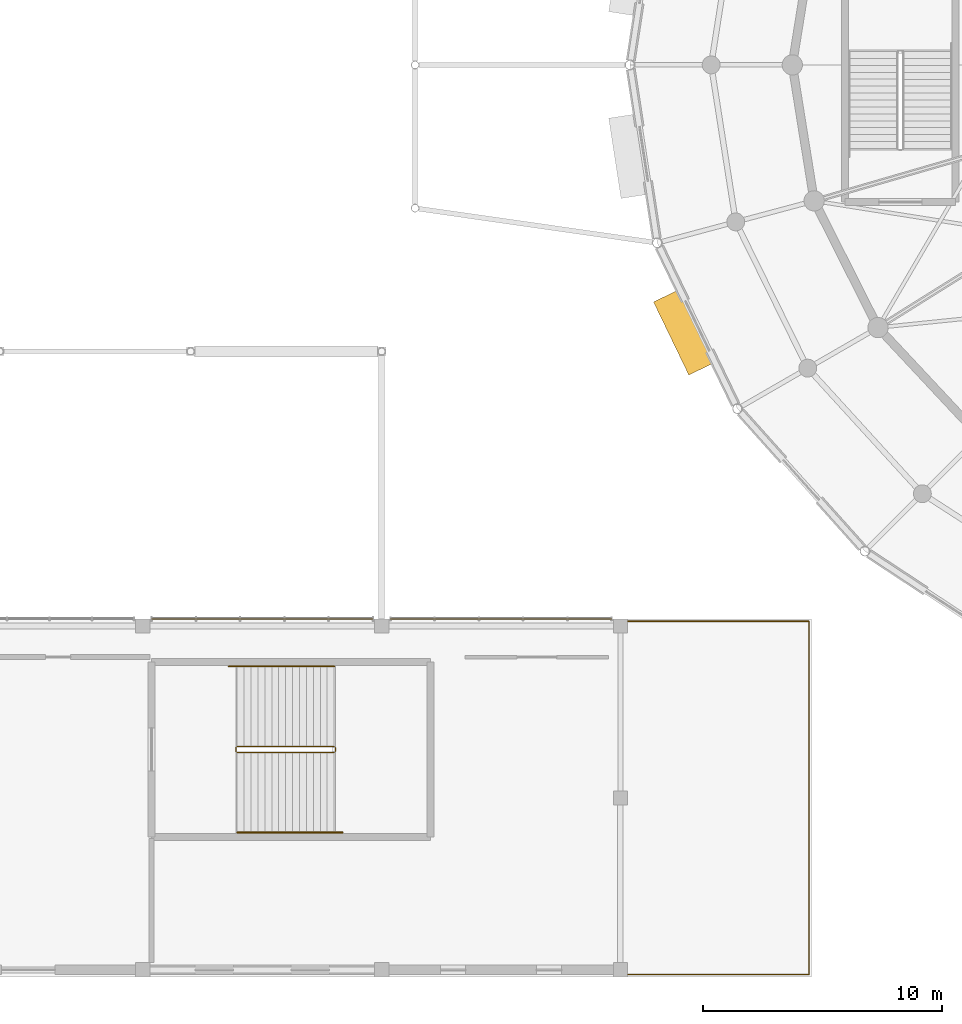
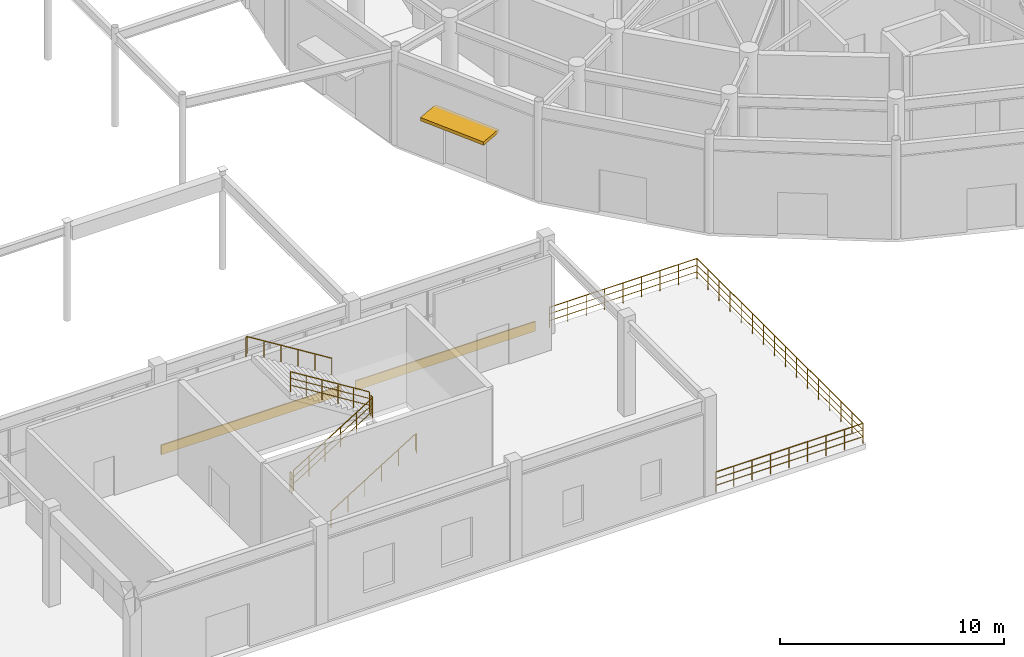
# One storey, part 85 of 93: 9 railings, 2 coverings, 1 shading device.
"""IFC4 building model written with IfcOpenShell, lengths in metres."""

from ifc_helpers import new_model, si_unit, direction, frame, origin, origin_2d, place, context, subcontext, project, spatial, rectangle, circle, extrude, material, layer, layer_set, type_object, element, save


model = new_model("IFC4")

# Units and contexts
model_context = context("Model", 3, precision=1e-05, world=origin(), true_north=direction((0.0, 1.0)))
body_context = subcontext(model_context, "Body", "Model", "MODEL_VIEW")
ifc_project = project(units=[si_unit("LENGTHUNIT", "METRE"), si_unit("AREAUNIT", "SQUARE_METRE"), si_unit("VOLUMEUNIT", "CUBIC_METRE"), si_unit("PLANEANGLEUNIT", "RADIAN"), si_unit("MASSUNIT", "GRAM", prefix="KILO")], contexts=[model_context])

# Site, building, storey
site_placement = place(None, origin())
site = spatial("IfcSite", under=ifc_project, at=site_placement, CompositionType="ELEMENT")
building_placement = place(site_placement, origin())
building = spatial("IfcBuilding", under=site, at=building_placement, Name="Cinderbank Siding Concert Hall", CompositionType="ELEMENT")
storey_placement = place(building_placement, origin())
storey = spatial("IfcBuildingStorey", under=building, at=storey_placement, Name="L01", CompositionType="ELEMENT", Elevation=0.0)

# Shading device
ifc_material_1 = material(Name="Anodised aluminium alloy 6063-T6", Category="aluminium")
shading_device_type = type_object("IfcShadingDeviceType", Name="AW-01 Forecourt Entry Sunshade Awning", PredefinedType="AWNING", material=ifc_material_1)
shading_device_placement = place(storey_placement, frame((90.6650390625, 32.80322265625, 2.76025390625), z_axis=(0.0, 0.0, 1.0), x_axis=(0.435102109714, -0.900381116041, 0.0)))
element("IfcShadingDevice", 1, at=shading_device_placement, inside=storey, type_object=shading_device_type, Name="Arrival Awning 14", PredefinedType="AWNING", context=body_context, shape_type="SweptSolid", body=[
    extrude(rectangle(XDim=3.39990234375, YDim=1.199951171875, at=origin_2d()), origin(), (0.0, 0.0, 1.0), 0.179931640625),
])

# Coverings
ifc_material_2 = material(Name="Spotted gum glulam timber GL18 (42 MPa)", Category="wood")
ifc_layer = layer(ifc_material_2, 0.06494140625)
ifc_layer_set = layer_set([ifc_layer], Name="Spotted gum glulam timber GL18 (42 MPa)")
covering_type = type_object("IfcCoveringType", Name="CL-01 Spotted Gum Spandrel Band 520mm", PredefinedType="CLADDING", material=ifc_layer_set)
for number, where, z_axis, x_axis, name in (
    (2, (73.0, 20.800048828125, 0.0), (0.0, 0.0, 1.0), (1.0, 0.0, 0.0), "CW-L01-139 Spotted Gum Spandrel Band"),
    (3, (83.0, 20.800048828125, 0.0), (0.0, 0.0, 1.0), (1.0, 0.0, 0.0), "CW-L01-140 Spotted Gum Spandrel Band"),
):
    element("IfcCovering", number, at=place(storey_placement, frame(where, z_axis=z_axis, x_axis=x_axis)), inside=storey, type_object=covering_type, Name=name, PredefinedType="CLADDING", context=body_context, shape_type="SweptSolid", body=[
        extrude(rectangle(XDim=9.27001953125, YDim=0.06494140625, at=origin_2d()), origin(), (0.0, 0.0, 1.0), 0.52001953125),
    ])

# Railings
ifc_material_3 = material(Name="Structural steel AS/NZS 3679.1 Grade 350 (340 MPa)", Category="steel")
railing_type_1 = type_object("IfcRailingType", Name="GD-01 Terrace & Perimeter Guardrail 1120mm", PredefinedType="GUARDRAIL", material=ifc_material_3)
railing_1_placement = place(storey_placement, frame((88.29931640625, 20.699951171875, 0.0)))
element("IfcRailing", 4, at=railing_1_placement, inside=storey, type_object=railing_type_1, Name="L01 Perimeter Guardrail #27", PredefinedType="GUARDRAIL", context=body_context, shape_type="SweptSolid", body=[
    extrude(circle(Radius=0.02392578125, at=origin_2d()), frame((0.0, 0.0, 1.09619140625), z_axis=(1.0, 0.0, 0.0), x_axis=(0.0, 1.0, 0.0)), (0.0, 0.0, 1.0), 7.6005859375),
    extrude(circle(Radius=0.01611328125, at=origin_2d()), frame((0.0, 0.0, 0.36962890625), z_axis=(1.0, 0.0, 0.0), x_axis=(0.0, 1.0, 0.0)), (0.0, 0.0, 1.0), 7.6005859375),
    extrude(circle(Radius=0.01611328125, at=origin_2d()), frame((0.0, 0.0, 0.7392578125), z_axis=(1.0, 0.0, 0.0), x_axis=(0.0, 1.0, 0.0)), (0.0, 0.0, 1.0), 7.6005859375),
    extrude(circle(Radius=0.02099609375, at=origin_2d()), origin(), (0.0, 0.0, 1.0), 1.072021484375),
    extrude(circle(Radius=0.02099609375, at=origin_2d()), frame((0.9501953125, 0.0, 0.0)), (0.0, 0.0, 1.0), 1.072021484375),
    extrude(circle(Radius=0.02099609375, at=origin_2d()), frame((1.900146484375, 0.0, 0.0)), (0.0, 0.0, 1.0), 1.072021484375),
    extrude(circle(Radius=0.02099609375, at=origin_2d()), frame((2.85009765625, 0.0, 0.0)), (0.0, 0.0, 1.0), 1.072021484375),
    extrude(circle(Radius=0.02099609375, at=origin_2d()), frame((3.80029296875, 0.0, 0.0)), (0.0, 0.0, 1.0), 1.072021484375),
    extrude(circle(Radius=0.02099609375, at=origin_2d()), frame((4.75048828125, 0.0, 0.0)), (0.0, 0.0, 1.0), 1.072021484375),
    extrude(circle(Radius=0.02099609375, at=origin_2d()), frame((5.700439453125, 0.0, 0.0)), (0.0, 0.0, 1.0), 1.072021484375),
    extrude(circle(Radius=0.02099609375, at=origin_2d()), frame((6.650390625, 0.0, 0.0)), (0.0, 0.0, 1.0), 1.072021484375),
    extrude(circle(Radius=0.02099609375, at=origin_2d()), frame((7.6005859375, 0.0, 0.0)), (0.0, 0.0, 1.0), 1.072021484375),
])
railing_2_placement = place(storey_placement, frame((95.89990234375, 20.699951171875, 0.0)))
element("IfcRailing", 5, at=railing_2_placement, inside=storey, type_object=railing_type_1, Name="L01 Perimeter Guardrail #28", PredefinedType="GUARDRAIL", context=body_context, shape_type="SweptSolid", body=[
    extrude(circle(Radius=0.02392578125, at=origin_2d()), frame((0.0, 0.0, 1.09619140625), z_axis=(0.0, -1.0, 0.0), x_axis=(1.0, 0.0, 0.0)), (0.0, 0.0, 1.0), 14.800048828125),
    extrude(circle(Radius=0.01611328125, at=origin_2d()), frame((0.0, 0.0, 0.36962890625), z_axis=(0.0, -1.0, 0.0), x_axis=(1.0, 0.0, 0.0)), (0.0, 0.0, 1.0), 14.800048828125),
    extrude(circle(Radius=0.01611328125, at=origin_2d()), frame((0.0, 0.0, 0.7392578125), z_axis=(0.0, -1.0, 0.0), x_axis=(1.0, 0.0, 0.0)), (0.0, 0.0, 1.0), 14.800048828125),
    extrude(circle(Radius=0.02099609375, at=origin_2d()), origin(), (0.0, 0.0, 1.0), 1.072021484375),
    extrude(circle(Radius=0.02099609375, at=origin_2d()), frame((0.0, -0.986572265625, 0.0)), (0.0, 0.0, 1.0), 1.072021484375),
    extrude(circle(Radius=0.02099609375, at=origin_2d()), frame((0.0, -1.973388671875, 0.0)), (0.0, 0.0, 1.0), 1.072021484375),
    extrude(circle(Radius=0.02099609375, at=origin_2d()), frame((0.0, -2.9599609375, 0.0)), (0.0, 0.0, 1.0), 1.072021484375),
    extrude(circle(Radius=0.02099609375, at=origin_2d()), frame((0.0, -3.94677734375, 0.0)), (0.0, 0.0, 1.0), 1.072021484375),
    extrude(circle(Radius=0.02099609375, at=origin_2d()), frame((0.0, -4.933349609375, 0.0)), (0.0, 0.0, 1.0), 1.072021484375),
    extrude(circle(Radius=0.02099609375, at=origin_2d()), frame((0.0, -5.919921875, 0.0)), (0.0, 0.0, 1.0), 1.072021484375),
    extrude(circle(Radius=0.02099609375, at=origin_2d()), frame((0.0, -6.90673828125, 0.0)), (0.0, 0.0, 1.0), 1.072021484375),
    extrude(circle(Radius=0.02099609375, at=origin_2d()), frame((0.0, -7.893310546875, 0.0)), (0.0, 0.0, 1.0), 1.072021484375),
    extrude(circle(Radius=0.02099609375, at=origin_2d()), frame((0.0, -8.880126953125, 0.0)), (0.0, 0.0, 1.0), 1.072021484375),
    extrude(circle(Radius=0.02099609375, at=origin_2d()), frame((0.0, -9.86669921875, 0.0)), (0.0, 0.0, 1.0), 1.072021484375),
    extrude(circle(Radius=0.02099609375, at=origin_2d()), frame((0.0, -10.853271484375, 0.0)), (0.0, 0.0, 1.0), 1.072021484375),
    extrude(circle(Radius=0.02099609375, at=origin_2d()), frame((0.0, -11.840087890625, 0.0)), (0.0, 0.0, 1.0), 1.072021484375),
    extrude(circle(Radius=0.02099609375, at=origin_2d()), frame((0.0, -12.82666015625, 0.0)), (0.0, 0.0, 1.0), 1.072021484375),
    extrude(circle(Radius=0.02099609375, at=origin_2d()), frame((0.0, -13.8134765625, 0.0)), (0.0, 0.0, 1.0), 1.072021484375),
    extrude(circle(Radius=0.02099609375, at=origin_2d()), frame((0.0, -14.800048828125, 0.0)), (0.0, 0.0, 1.0), 1.072021484375),
])
railing_3_placement = place(storey_placement, frame((95.89990234375, 5.89990234375, 0.0)))
element("IfcRailing", 6, at=railing_3_placement, inside=storey, type_object=railing_type_1, Name="L01 Perimeter Guardrail #29", PredefinedType="GUARDRAIL", context=body_context, shape_type="SweptSolid", body=[
    extrude(circle(Radius=0.02392578125, at=origin_2d()), frame((0.0, 0.0, 1.09619140625), z_axis=(-1.0, 0.0, 0.0), x_axis=(0.0, -1.0, 0.0)), (0.0, 0.0, 1.0), 7.6005859375),
    extrude(circle(Radius=0.01611328125, at=origin_2d()), frame((0.0, 0.0, 0.36962890625), z_axis=(-1.0, 0.0, 0.0), x_axis=(0.0, -1.0, 0.0)), (0.0, 0.0, 1.0), 7.6005859375),
    extrude(circle(Radius=0.01611328125, at=origin_2d()), frame((0.0, 0.0, 0.7392578125), z_axis=(-1.0, 0.0, 0.0), x_axis=(0.0, -1.0, 0.0)), (0.0, 0.0, 1.0), 7.6005859375),
    extrude(circle(Radius=0.02099609375, at=origin_2d()), origin(), (0.0, 0.0, 1.0), 1.072021484375),
    extrude(circle(Radius=0.02099609375, at=origin_2d()), frame((-0.9501953125, 0.0, 0.0)), (0.0, 0.0, 1.0), 1.072021484375),
    extrude(circle(Radius=0.02099609375, at=origin_2d()), frame((-1.900146484375, 0.0, 0.0)), (0.0, 0.0, 1.0), 1.072021484375),
    extrude(circle(Radius=0.02099609375, at=origin_2d()), frame((-2.85009765625, 0.0, 0.0)), (0.0, 0.0, 1.0), 1.072021484375),
    extrude(circle(Radius=0.02099609375, at=origin_2d()), frame((-3.80029296875, 0.0, 0.0)), (0.0, 0.0, 1.0), 1.072021484375),
    extrude(circle(Radius=0.02099609375, at=origin_2d()), frame((-4.75048828125, 0.0, 0.0)), (0.0, 0.0, 1.0), 1.072021484375),
    extrude(circle(Radius=0.02099609375, at=origin_2d()), frame((-5.700439453125, 0.0, 0.0)), (0.0, 0.0, 1.0), 1.072021484375),
    extrude(circle(Radius=0.02099609375, at=origin_2d()), frame((-6.650390625, 0.0, 0.0)), (0.0, 0.0, 1.0), 1.072021484375),
    extrude(circle(Radius=0.02099609375, at=origin_2d()), frame((-7.6005859375, 0.0, 0.0)), (0.0, 0.0, 1.0), 1.072021484375),
])
railing_type_2 = type_object("IfcRailingType", Name="STG-01 Stair Well Guardrail 1120mm", PredefinedType="GUARDRAIL", material=ifc_material_3)
railing_4_placement = place(storey_placement, frame((71.949951171875, 15.199951171875, 0.179931640625)))
element("IfcRailing", 7, at=railing_4_placement, inside=storey, type_object=railing_type_2, Name="L01 ST-08 stair guard 1", PredefinedType="GUARDRAIL", context=body_context, shape_type="SweptSolid", body=[
    extrude(circle(Radius=0.02392578125, at=origin_2d()), frame((0.0, 0.0, 1.09619140625), z_axis=(0.849641744969, 0.0, 0.527360318194), x_axis=(0.0, 1.0, 0.0)), (0.0, 0.0, 1.0), 4.778564453125),
    extrude(circle(Radius=0.01611328125, at=origin_2d()), frame((0.0, 0.0, 0.36962890625), z_axis=(0.849641744969, 0.0, 0.527360318194), x_axis=(0.0, 1.0, 0.0)), (0.0, 0.0, 1.0), 4.778564453125),
    extrude(circle(Radius=0.01611328125, at=origin_2d()), frame((0.0, 0.0, 0.7392578125), z_axis=(0.849641744969, 0.0, 0.527360318194), x_axis=(0.0, 1.0, 0.0)), (0.0, 0.0, 1.0), 4.778564453125),
    extrude(circle(Radius=0.02099609375, at=origin_2d()), origin(), (0.0, 0.0, 1.0), 1.072021484375),
    extrude(circle(Radius=0.02099609375, at=origin_2d()), frame((0.81201171875, 0.0, 0.50390625)), (0.0, 0.0, 1.0), 1.072021484375),
    extrude(circle(Radius=0.02099609375, at=origin_2d()), frame((1.6240234375, 0.0, 1.008056640625)), (0.0, 0.0, 1.0), 1.072021484375),
    extrude(circle(Radius=0.02099609375, at=origin_2d()), frame((2.43603515625, 0.0, 1.511962890625)), (0.0, 0.0, 1.0), 1.072021484375),
    extrude(circle(Radius=0.02099609375, at=origin_2d()), frame((3.248046875, 0.0, 2.01611328125)), (0.0, 0.0, 1.0), 1.072021484375),
    extrude(circle(Radius=0.02099609375, at=origin_2d()), frame((4.06005859375, 0.0, 2.52001953125)), (0.0, 0.0, 1.0), 1.072021484375),
])
railing_5_placement = place(storey_placement, frame((76.06005859375, 15.25, 2.699951171875)))
element("IfcRailing", 8, at=railing_5_placement, inside=storey, type_object=railing_type_2, Name="L01 ST-08 stair guard 2", PredefinedType="GUARDRAIL", context=body_context, shape_type="SweptSolid", body=[
    extrude(circle(Radius=0.02392578125, at=origin_2d()), frame((0.0, 0.0, 1.09619140625), z_axis=(0.0, 1.0, 0.0), x_axis=(-1.0, 0.0, 0.0)), (0.0, 0.0, 1.0), 0.159912109375),
    extrude(circle(Radius=0.01611328125, at=origin_2d()), frame((0.0, 0.0, 0.36962890625), z_axis=(0.0, 1.0, 0.0), x_axis=(-1.0, 0.0, 0.0)), (0.0, 0.0, 1.0), 0.159912109375),
    extrude(circle(Radius=0.01611328125, at=origin_2d()), frame((0.0, 0.0, 0.7392578125), z_axis=(0.0, 1.0, 0.0), x_axis=(-1.0, 0.0, 0.0)), (0.0, 0.0, 1.0), 0.159912109375),
    extrude(circle(Radius=0.02099609375, at=origin_2d()), origin(), (0.0, 0.0, 1.0), 1.072021484375),
    extrude(circle(Radius=0.02099609375, at=origin_2d()), frame((0.0, 0.159912109375, 0.0)), (0.0, 0.0, 1.0), 1.072021484375),
])
railing_6_placement = place(storey_placement, frame((76.010009765625, 15.4599609375, 2.8798828125)))
element("IfcRailing", 9, at=railing_6_placement, inside=storey, type_object=railing_type_2, Name="L01 ST-08 stair guard 3", PredefinedType="GUARDRAIL", context=body_context, shape_type="SweptSolid", body=[
    extrude(circle(Radius=0.02392578125, at=origin_2d()), frame((0.0, 0.0, 1.09619140625), z_axis=(-0.849641744969, 0.0, 0.527360318194), x_axis=(0.0, -1.0, 0.0)), (0.0, 0.0, 1.0), 4.778564453125),
    extrude(circle(Radius=0.01611328125, at=origin_2d()), frame((0.0, 0.0, 0.36962890625), z_axis=(-0.849641744969, 0.0, 0.527360318194), x_axis=(0.0, -1.0, 0.0)), (0.0, 0.0, 1.0), 4.778564453125),
    extrude(circle(Radius=0.01611328125, at=origin_2d()), frame((0.0, 0.0, 0.7392578125), z_axis=(-0.849641744969, 0.0, 0.527360318194), x_axis=(0.0, -1.0, 0.0)), (0.0, 0.0, 1.0), 4.778564453125),
    extrude(circle(Radius=0.02099609375, at=origin_2d()), origin(), (0.0, 0.0, 1.0), 1.072021484375),
    extrude(circle(Radius=0.02099609375, at=origin_2d()), frame((-0.81201171875, 0.0, 0.50390625)), (0.0, 0.0, 1.0), 1.072021484375),
    extrude(circle(Radius=0.02099609375, at=origin_2d()), frame((-1.6240234375, 0.0, 1.008056640625)), (0.0, 0.0, 1.0), 1.072021484375),
    extrude(circle(Radius=0.02099609375, at=origin_2d()), frame((-2.43603515625, 0.0, 1.511962890625)), (0.0, 0.0, 1.0), 1.072021484375),
    extrude(circle(Radius=0.02099609375, at=origin_2d()), frame((-3.248046875, 0.0, 2.01611328125)), (0.0, 0.0, 1.0), 1.072021484375),
    extrude(circle(Radius=0.02099609375, at=origin_2d()), frame((-4.06005859375, 0.0, 2.52001953125)), (0.0, 0.0, 1.0), 1.072021484375),
])
railing_7_placement = place(storey_placement, frame((71.89990234375, 15.25, 0.0)))
element("IfcRailing", 10, at=railing_7_placement, inside=storey, type_object=railing_type_2, Name="L01 ST-08 stair guard 4", PredefinedType="GUARDRAIL", context=body_context, shape_type="SweptSolid", body=[
    extrude(circle(Radius=0.02392578125, at=origin_2d()), frame((0.0, 0.0, 1.09619140625), z_axis=(0.0, 1.0, 0.0), x_axis=(-1.0, 0.0, 0.0)), (0.0, 0.0, 1.0), 0.159912109375),
    extrude(circle(Radius=0.01611328125, at=origin_2d()), frame((0.0, 0.0, 0.36962890625), z_axis=(0.0, 1.0, 0.0), x_axis=(-1.0, 0.0, 0.0)), (0.0, 0.0, 1.0), 0.159912109375),
    extrude(circle(Radius=0.01611328125, at=origin_2d()), frame((0.0, 0.0, 0.7392578125), z_axis=(0.0, 1.0, 0.0), x_axis=(-1.0, 0.0, 0.0)), (0.0, 0.0, 1.0), 0.159912109375),
    extrude(circle(Radius=0.02099609375, at=origin_2d()), origin(), (0.0, 0.0, 1.0), 1.072021484375),
    extrude(circle(Radius=0.02099609375, at=origin_2d()), frame((0.0, 0.159912109375, 0.0)), (0.0, 0.0, 1.0), 1.072021484375),
])
railing_type_3 = type_object("IfcRailingType", Name="STH-01 Stair Pitch Handrail 920mm", PredefinedType="HANDRAIL", material=ifc_material_3)
railing_8_placement = place(storey_placement, frame((71.949951171875, 11.85009765625, 0.179931640625)))
element("IfcRailing", 11, at=railing_8_placement, inside=storey, type_object=railing_type_3, Name="L01 ST-08 stair handrail 1", PredefinedType="HANDRAIL", context=body_context, shape_type="SweptSolid", body=[
    extrude(circle(Radius=0.02392578125, at=origin_2d()), frame((0.0, 0.0, 0.89599609375), z_axis=(0.849649743971, 0.0, 0.527347430608), x_axis=(0.0, 1.0, 0.0)), (0.0, 0.0, 1.0), 5.119873046875),
    extrude(circle(Radius=0.02392578125, at=origin_2d()), frame((4.35009765625, 0.0, 3.595703125), z_axis=(1.0, 0.0, 0.0), x_axis=(0.0, 1.0, 0.0)), (0.0, 0.0, 1.0), 0.06005859375),
    extrude(circle(Radius=0.02099609375, at=origin_2d()), origin(), (0.0, 0.0, 1.0), 0.871826171875),
    extrude(circle(Radius=0.02099609375, at=origin_2d()), frame((0.8701171875, 0.0, 0.5400390625)), (0.0, 0.0, 1.0), 0.871826171875),
    extrude(circle(Radius=0.02099609375, at=origin_2d()), frame((1.739990234375, 0.0, 1.080078125)), (0.0, 0.0, 1.0), 0.871826171875),
    extrude(circle(Radius=0.02099609375, at=origin_2d()), frame((2.610107421875, 0.0, 1.619873046875)), (0.0, 0.0, 1.0), 0.871826171875),
    extrude(circle(Radius=0.02099609375, at=origin_2d()), frame((3.47998046875, 0.0, 2.159912109375)), (0.0, 0.0, 1.0), 0.871826171875),
    extrude(circle(Radius=0.02099609375, at=origin_2d()), frame((4.35009765625, 0.0, 2.699951171875)), (0.0, 0.0, 1.0), 0.871826171875),
    extrude(circle(Radius=0.02099609375, at=origin_2d()), frame((4.41015625, 0.0, 2.52001953125)), (0.0, 0.0, 1.0), 1.0517578125),
])
railing_9_placement = place(storey_placement, frame((76.010009765625, 18.81005859375, 2.8798828125)))
element("IfcRailing", 12, at=railing_9_placement, inside=storey, type_object=railing_type_3, Name="L01 ST-08 stair handrail 2", PredefinedType="HANDRAIL", context=body_context, shape_type="SweptSolid", body=[
    extrude(circle(Radius=0.02392578125, at=origin_2d()), frame((0.0, 0.0, 0.89599609375), z_axis=(-0.849628378081, 0.0, 0.527381853271), x_axis=(0.0, -1.0, 0.0)), (0.0, 0.0, 1.0), 5.1201171875),
    extrude(circle(Radius=0.02392578125, at=origin_2d()), frame((-4.35009765625, 0.0, 3.59619140625), z_axis=(-1.0, 0.0, 0.0), x_axis=(0.0, -1.0, 0.0)), (0.0, 0.0, 1.0), 0.059814453125),
    extrude(circle(Radius=0.02099609375, at=origin_2d()), origin(), (0.0, 0.0, 1.0), 0.871826171875),
    extrude(circle(Radius=0.02099609375, at=origin_2d()), frame((-0.8701171875, 0.0, 0.5400390625)), (0.0, 0.0, 1.0), 0.871826171875),
    extrude(circle(Radius=0.02099609375, at=origin_2d()), frame((-1.739990234375, 0.0, 1.080078125)), (0.0, 0.0, 1.0), 0.871826171875),
    extrude(circle(Radius=0.02099609375, at=origin_2d()), frame((-2.610107421875, 0.0, 1.6201171875)), (0.0, 0.0, 1.0), 0.871826171875),
    extrude(circle(Radius=0.02099609375, at=origin_2d()), frame((-3.47998046875, 0.0, 2.16015625)), (0.0, 0.0, 1.0), 0.871826171875),
    extrude(circle(Radius=0.02099609375, at=origin_2d()), frame((-4.35009765625, 0.0, 2.7001953125)), (0.0, 0.0, 1.0), 0.871826171875),
    extrude(circle(Radius=0.02099609375, at=origin_2d()), frame((-4.409912109375, 0.0, 2.520263671875)), (0.0, 0.0, 1.0), 1.0517578125),
])

save(model, "model.ifc")
